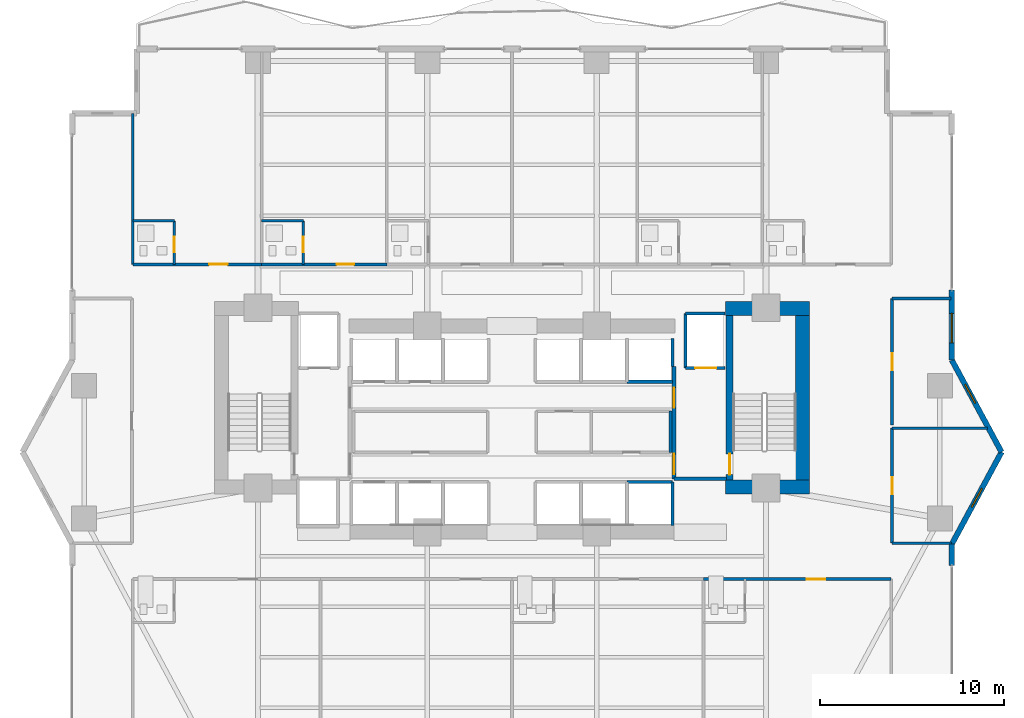
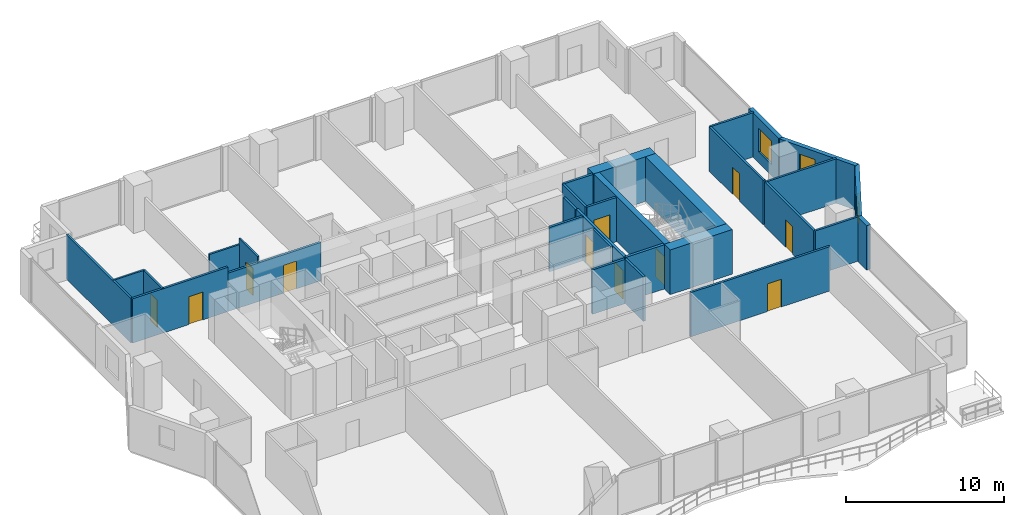
# One storey, part 23 of 30: 31 walls, 11 doors, 3 windows, 14 openings.
"""IFC4 building model written with IfcOpenShell, lengths in metres."""

from ifc_helpers import new_model, si_unit, direction, frame, frame_2d, origin, place, context, subcontext, project, spatial, rectangle, extrude, material, layer, layer_set, type_object, element, fill, save


model = new_model("IFC4")

# Units and contexts
model_context = context("Model", 3, precision=1e-05, world=origin(), true_north=direction((0.0, 1.0)))
body_context = subcontext(model_context, "Body", "Model", "MODEL_VIEW")
ifc_project = project(units=[si_unit("LENGTHUNIT", "METRE"), si_unit("AREAUNIT", "SQUARE_METRE"), si_unit("VOLUMEUNIT", "CUBIC_METRE"), si_unit("PLANEANGLEUNIT", "RADIAN"), si_unit("MASSUNIT", "GRAM", prefix="KILO")], contexts=[model_context])

# Site, building, storey
site_placement = place(None, origin())
site = spatial("IfcSite", under=ifc_project, at=site_placement, CompositionType="ELEMENT")
building_placement = place(site_placement, origin())
building = spatial("IfcBuilding", under=site, at=building_placement, Name="Zuhayl Quay Hotel", CompositionType="ELEMENT")
storey_placement = place(building_placement, frame((0.0, 0.0, 135.800048828125)))
storey = spatial("IfcBuildingStorey", under=building, at=storey_placement, Name="L34", CompositionType="ELEMENT", Elevation=135.800048828125)

# Walls
ifc_material_1 = material(Name="Concrete C60/75", Category="concrete")
ifc_layer_1 = layer(ifc_material_1, 0.75, Name="Concrete C60/75", Category="concrete")
ifc_layer_set_1 = layer_set([ifc_layer_1], Name="Concrete C60/75")
wall_type_1 = type_object("IfcWallType", Name="WL_CORE_750", PredefinedType="SHEAR", material=ifc_layer_set_1)
wall_1_placement = place(storey_placement, frame((11.60009765625, 14.304931640625, 0.0), z_axis=(0.0, 0.0, 1.0), x_axis=(1.0, 0.0, 0.0)))
element("IfcWall", 1, at=wall_1_placement, inside=storey, type_object=wall_type_1, Name="L34 Core Shear Wall CW_NE", PredefinedType="SHEAR", context=body_context, shape_type="SweptSolid", body=[
    extrude(rectangle(XDim=4.559814453125, YDim=0.75, at=frame_2d((2.27978515625, 0.0))), origin(), (0.0, 0.0, 1.0), 3.4599609375),
])
wall_2_placement = place(storey_placement, frame((15.784912109375, 4.969970703125, 0.0), z_axis=(0.0, 0.0, 1.0), x_axis=(0.0, 1.0, 0.0)))
element("IfcWall", 2, at=wall_2_placement, inside=storey, type_object=wall_type_1, Name="L34 Core Shear Wall CW_E", PredefinedType="SHEAR", context=body_context, shape_type="SweptSolid", body=[
    extrude(rectangle(XDim=8.9599609375, YDim=0.75, at=frame_2d((4.47998046875, 0.0))), origin(), (0.0, 0.0, 1.0), 3.4599609375),
])
wall_3_placement = place(storey_placement, frame((11.60009765625, 4.594970703125, 0.0), z_axis=(0.0, 0.0, 1.0), x_axis=(1.0, 0.0, 0.0)))
element("IfcWall", 3, at=wall_3_placement, inside=storey, type_object=wall_type_1, Name="L34 Core Shear Wall CW_SE", PredefinedType="SHEAR", context=body_context, shape_type="SweptSolid", body=[
    extrude(rectangle(XDim=4.559814453125, YDim=0.75, at=frame_2d((2.27978515625, 0.0))), origin(), (0.0, 0.0, 1.0), 3.4599609375),
])

# Wall, opening, window
ifc_material_2 = material(Name="Precast concrete C45/55", Category="concrete")
ifc_layer_2 = layer(ifc_material_2, 0.300048828125, Name="Precast concrete C45/55", Category="concrete")
ifc_layer_set_2 = layer_set([ifc_layer_2], Name="Precast concrete C45/55")
wall_type_2 = type_object("IfcWallType", Name="WL_EXT_300", PredefinedType="STANDARD", material=ifc_layer_set_2)
wall_4_placement = place(storey_placement, frame((23.89990234375, 15.300048828125, 0.0), z_axis=(0.0, 0.0, 1.0), x_axis=(0.0, -1.0, 0.0)))
wall_4 = element("IfcWall", 4, at=wall_4_placement, inside=storey, type_object=wall_type_2, Name="L34 Exterior Precast Wall ENV_L34_E11_EW2", PredefinedType="STANDARD", context=body_context, shape_type="SweptSolid", body=[
    extrude(rectangle(XDim=3.800048828125, YDim=0.300048828125, at=frame_2d((1.89990234375, 0.0))), origin(), (0.0, 0.0, 1.0), 3.429931640625),
])
opening_1_placement = place(wall_4_placement, frame((1.264892578125, 0.0, 0.85009765625)))
opening_1 = element("IfcOpeningElement", 5, at=opening_1_placement, cuts=wall_4, Name="Opening W01", PredefinedType="OPENING", context=body_context, shape_type="SweptSolid", body=[
    extrude(rectangle(XDim=1.60009765625, YDim=1.800048828125, at=frame_2d((0.800048828125, 0.89990234375))), frame((0.0, 0.159912109375, 0.0), z_axis=(0.0, -1.0, 0.0), x_axis=(1.0, 0.0, 0.0)), (0.0, 0.0, 1.0), 0.320068359375),
])
ifc_material_3 = material(Name="Dark Ceramic-Fritted Solar Glass", Category="glass")
window_type_1 = type_object("IfcWindowType", Name="WN_OPERABLE_1600", PartitioningType="DOUBLE_PANEL_VERTICAL", PredefinedType="WINDOW", material=ifc_material_3)
window_1_placement = place(opening_1_placement, origin())
window_1 = element("IfcWindow", 6, at=window_1_placement, inside=storey, type_object=window_type_1, Name="L34 Operable Facade Window 2-1", OverallHeight=1.800048828125, OverallWidth=1.60009765625, PartitioningType="SINGLE_PANEL", PredefinedType="WINDOW", context=body_context, shape_type="SweptSolid", body=[
    extrude(rectangle(XDim=1.60009765625, YDim=1.800048828125, at=frame_2d((0.800048828125, 0.89990234375))), frame((0.0, 0.030029296875, 0.0), z_axis=(0.0, -1.0, 0.0), x_axis=(1.0, 0.0, 0.0)), (0.0, 0.0, 1.0), 0.06005859375),
])
fill(opening_1, window_1)

wall_5_placement = place(storey_placement, frame((23.89990234375, 11.5, 0.0), z_axis=(0.0, 0.0, 1.0), x_axis=(0.475175525499, -0.879891027325, 0.0)))
wall_5 = element("IfcWall", 7, at=wall_5_placement, inside=storey, type_object=wall_type_2, Name="L34 Exterior Precast Wall ENV_L34_EW12", PredefinedType="STANDARD", context=body_context, shape_type="SweptSolid", body=[
    extrude(rectangle(XDim=5.6826171875, YDim=0.300048828125, at=frame_2d((2.84130859375, 0.0))), origin(), (0.0, 0.0, 1.0), 3.429931640625),
])
opening_2_placement = place(wall_5_placement, frame((1.503173828125, 0.0, 1.25)))
opening_2 = element("IfcOpeningElement", 8, at=opening_2_placement, cuts=wall_5, Name="Opening W01N", PredefinedType="OPENING", context=body_context, shape_type="SweptSolid", body=[
    extrude(rectangle(XDim=1.14990234375, YDim=1.550048828125, at=frame_2d((0.574951171875, 0.77490234375))), frame((0.0, 0.159912109375, 0.0), z_axis=(0.0, -1.0, 0.0), x_axis=(1.0, 0.0, 0.0)), (0.0, 0.0, 1.0), 0.320068359375),
])
window_type_2 = type_object("IfcWindowType", Name="WN_NOTCH_1350", PartitioningType="SINGLE_PANEL", PredefinedType="WINDOW", material=ifc_material_3)
window_2_placement = place(opening_2_placement, origin())
window_2 = element("IfcWindow", 9, at=window_2_placement, inside=storey, type_object=window_type_2, Name="L34 Corner Notch Window 12", OverallHeight=1.550048828125, OverallWidth=1.14990234375, PartitioningType="SINGLE_PANEL", PredefinedType="WINDOW", context=body_context, shape_type="SweptSolid", body=[
    extrude(rectangle(XDim=1.14990234375, YDim=1.550048828125, at=frame_2d((0.574951171875, 0.77490234375))), frame((0.0, 0.030029296875, 0.0), z_axis=(0.0, -1.0, 0.0), x_axis=(1.0, 0.0, 0.0)), (0.0, 0.0, 1.0), 0.06005859375),
])
fill(opening_2, window_2)

wall_6_placement = place(storey_placement, frame((26.60009765625, 6.5, 0.0), z_axis=(0.0, 0.0, 1.0), x_axis=(-0.475175525499, -0.879891027325, 0.0)))
wall_6 = element("IfcWall", 10, at=wall_6_placement, inside=storey, type_object=wall_type_2, Name="L34 Exterior Precast Wall ENV_L34_EW13", PredefinedType="STANDARD", context=body_context, shape_type="SweptSolid", body=[
    extrude(rectangle(XDim=5.6826171875, YDim=0.300048828125, at=frame_2d((2.84130859375, 0.0))), origin(), (0.0, 0.0, 1.0), 3.429931640625),
])
opening_3_placement = place(wall_6_placement, frame((2.2421875, 0.0, 1.25)))
opening_3 = element("IfcOpeningElement", 11, at=opening_3_placement, cuts=wall_6, Name="Opening W01N", PredefinedType="OPENING", context=body_context, shape_type="SweptSolid", body=[
    extrude(rectangle(XDim=1.14990234375, YDim=1.550048828125, at=frame_2d((0.574951171875, 0.77490234375))), frame((0.0, 0.159912109375, 0.0), z_axis=(0.0, -1.0, 0.0), x_axis=(1.0, 0.0, 0.0)), (0.0, 0.0, 1.0), 0.320068359375),
])
window_3_placement = place(opening_3_placement, origin())
window_3 = element("IfcWindow", 12, at=window_3_placement, inside=storey, type_object=window_type_2, Name="L34 Corner Notch Window 13", OverallHeight=1.550048828125, OverallWidth=1.14990234375, PartitioningType="SINGLE_PANEL", PredefinedType="WINDOW", context=body_context, shape_type="SweptSolid", body=[
    extrude(rectangle(XDim=1.14990234375, YDim=1.550048828125, at=frame_2d((0.574951171875, 0.77490234375))), frame((0.0, 0.030029296875, 0.0), z_axis=(0.0, -1.0, 0.0), x_axis=(1.0, 0.0, 0.0)), (0.0, 0.0, 1.0), 0.06005859375),
])
fill(opening_3, window_3)

# Walls
wall_7_placement = place(storey_placement, frame((23.89990234375, 1.5, 0.0), z_axis=(0.0, 0.0, 1.0), x_axis=(0.0, -1.0, 0.0)))
element("IfcWall", 13, at=wall_7_placement, inside=storey, type_object=wall_type_2, Name="L34 Exterior Precast Wall ENV_L34_E14_EW1", PredefinedType="STANDARD", context=body_context, shape_type="SweptSolid", body=[
    extrude(rectangle(XDim=1.14990234375, YDim=0.300048828125, at=frame_2d((0.574951171875, 0.0))), origin(), (0.0, 0.0, 1.0), 3.429931640625),
])
ifc_material_4 = material(Name="Acoustic Gypsum Partition STC-58")
ifc_layer_3 = layer(ifc_material_4, 0.14990234375, Name="Acoustic Gypsum Partition STC-58")
ifc_layer_set_3 = layer_set([ifc_layer_3], Name="Acoustic Gypsum Partition STC-58")
wall_type_3 = type_object("IfcWallType", Name="WL_PART_150", PredefinedType="PARTITIONING", material=ifc_layer_set_3)
wall_8_placement = place(storey_placement, frame((8.610107421875, 6.47998046875, 0.0), z_axis=(0.0, 0.0, 1.0), x_axis=(0.0, 1.0, 0.0)))
element("IfcWall", 14, at=wall_8_placement, inside=storey, type_object=wall_type_3, Name="L34 Partition IW_L34_CORE_LN_E", PredefinedType="PARTITIONING", context=body_context, shape_type="SweptSolid", body=[
    extrude(rectangle(XDim=2.239990234375, YDim=0.14990234375, at=frame_2d((1.1201171875, 0.0))), origin(), (0.0, 0.0, 1.0), 3.429931640625),
])
wall_9_placement = place(storey_placement, frame((-20.60009765625, 16.699951171875, 0.0), z_axis=(0.0, 0.0, 1.0), x_axis=(0.0, 1.0, 0.0)))
element("IfcWall", 15, at=wall_9_placement, inside=storey, type_object=wall_type_3, Name="L34 Partition IW_L34_NU01_W", PredefinedType="PARTITIONING", context=body_context, shape_type="SweptSolid", body=[
    extrude(rectangle(XDim=8.199951171875, YDim=0.14990234375, at=frame_2d((4.10009765625, 0.0))), origin(), (0.0, 0.0, 1.0), 3.429931640625),
])
wall_10_placement = place(storey_placement, frame((20.64990234375, 1.550048828125, 0.0), z_axis=(0.0, 0.0, 1.0), x_axis=(1.0, 0.0, 0.0)))
element("IfcWall", 16, at=wall_10_placement, inside=storey, type_object=wall_type_3, Name="L34 Partition IW_L34_HK_MAIN_S", PredefinedType="PARTITIONING", context=body_context, shape_type="SweptSolid", body=[
    extrude(rectangle(XDim=3.217041015625, YDim=0.14990234375, at=frame_2d((1.6083984375, 0.0))), origin(), (0.0, 0.0, 1.0), 3.429931640625),
])
wall_11_placement = place(storey_placement, frame((20.64990234375, 7.800048828125, 0.0), z_axis=(0.0, 0.0, 1.0), x_axis=(1.0, 0.0, 0.0)))
element("IfcWall", 17, at=wall_11_placement, inside=storey, type_object=wall_type_3, Name="L34 Partition IW_L34_HK_MAIN_N", PredefinedType="PARTITIONING", context=body_context, shape_type="SweptSolid", body=[
    extrude(rectangle(XDim=5.18798828125, YDim=0.14990234375, at=frame_2d((2.593994140625, 0.0))), origin(), (0.0, 0.0, 1.0), 3.429931640625),
])
wall_12_placement = place(storey_placement, frame((20.64990234375, 14.85009765625, 0.0), z_axis=(0.0, 0.0, 1.0), x_axis=(1.0, 0.0, 0.0)))
element("IfcWall", 18, at=wall_12_placement, inside=storey, type_object=wall_type_3, Name="L34 Partition IW_L34_EFLK_2_N", PredefinedType="PARTITIONING", context=body_context, shape_type="SweptSolid", body=[
    extrude(rectangle(XDim=3.190185546875, YDim=0.14990234375, at=frame_2d((1.59521484375, 0.0))), origin(), (0.0, 0.0, 1.0), 3.429931640625),
])

# Wall, opening, door
ifc_layer_4 = layer(ifc_material_4, 0.159912109375, Name="Acoustic Gypsum Partition STC-58")
ifc_layer_set_4 = layer_set([ifc_layer_4], Name="Acoustic Gypsum Partition STC-58")
wall_type_4 = type_object("IfcWallType", Name="WL_PART_CORR_160", PredefinedType="PARTITIONING", material=ifc_layer_set_4)
wall_13_placement = place(storey_placement, frame((-20.60009765625, 16.699951171875, 0.0), z_axis=(0.0, 0.0, 1.0), x_axis=(1.0, 0.0, 0.0)))
wall_13 = element("IfcWall", 19, at=wall_13_placement, inside=storey, type_object=wall_type_4, Name="L34 Partition IW_L34_NU01_COR", PredefinedType="PARTITIONING", context=body_context, shape_type="SweptSolid", body=[
    extrude(rectangle(XDim=7.0, YDim=0.159912109375, at=frame_2d((3.5, 0.0))), origin(), (0.0, 0.0, 1.0), 3.429931640625),
])
opening_4_placement = place(wall_13_placement, frame((4.14990234375, 0.0, 0.0)))
opening_4 = element("IfcOpeningElement", 20, at=opening_4_placement, cuts=wall_13, Name="Opening D03L", PredefinedType="OPENING", context=body_context, shape_type="SweptSolid", body=[
    extrude(rectangle(XDim=1.0, YDim=2.14990234375, at=frame_2d((0.5, 1.074951171875))), frame((0.0, 0.08984375, 0.0), z_axis=(0.0, -1.0, 0.0), x_axis=(1.0, 0.0, 0.0)), (0.0, 0.0, 1.0), 0.179931640625),
])
ifc_material_5 = material(Name="Solid Walnut Acoustic Fire Door")
door_type_1 = type_object("IfcDoorType", Name="DR_SUITE_1000", OperationType="NOTDEFINED", PredefinedType="DOOR", material=ifc_material_5)
door_1_placement = place(opening_4_placement, origin())
door_1 = element("IfcDoor", 21, at=door_1_placement, inside=storey, type_object=door_type_1, Name="L34 Deluxe Gulf Junior Suite L34-01 Entrance Door", OperationType="SINGLE_SWING_RIGHT", OverallHeight=2.14990234375, OverallWidth=1.0, PredefinedType="DOOR", context=body_context, shape_type="SweptSolid", body=[
    extrude(rectangle(XDim=1.0, YDim=2.14990234375, at=frame_2d((0.5, 1.074951171875))), frame((0.0, 0.02490234375, 0.0), z_axis=(0.0, -1.0, 0.0), x_axis=(1.0, 0.0, 0.0)), (0.0, 0.0, 1.0), 0.050048828125),
])
fill(opening_4, door_1)

wall_14_placement = place(storey_placement, frame((-13.60009765625, 16.699951171875, 0.0), z_axis=(0.0, 0.0, 1.0), x_axis=(1.0, 0.0, 0.0)))
wall_14 = element("IfcWall", 22, at=wall_14_placement, inside=storey, type_object=wall_type_4, Name="L34 Partition IW_L34_NU02_COR", PredefinedType="PARTITIONING", context=body_context, shape_type="SweptSolid", body=[
    extrude(rectangle(XDim=6.800048828125, YDim=0.159912109375, at=frame_2d((3.39990234375, 0.0))), origin(), (0.0, 0.0, 1.0), 2.972900390625),
])
opening_5_placement = place(wall_14_placement, frame((4.074951171875, 0.0, 0.0)))
opening_5 = element("IfcOpeningElement", 23, at=opening_5_placement, cuts=wall_14, Name="Opening D03", PredefinedType="OPENING", context=body_context, shape_type="SweptSolid", body=[
    extrude(rectangle(XDim=0.949951171875, YDim=2.14990234375, at=frame_2d((0.47509765625, 1.074951171875))), frame((0.0, 0.08984375, 0.0), z_axis=(0.0, -1.0, 0.0), x_axis=(1.0, 0.0, 0.0)), (0.0, 0.0, 1.0), 0.179931640625),
])
door_type_2 = type_object("IfcDoorType", Name="DR_SUITE_950", OperationType="NOTDEFINED", PredefinedType="DOOR", material=ifc_material_5)
door_2_placement = place(opening_5_placement, origin())
door_2 = element("IfcDoor", 24, at=door_2_placement, inside=storey, type_object=door_type_2, Name="L34 Deluxe Gulf Guest Room L34-02 Entrance Door", OperationType="SINGLE_SWING_RIGHT", OverallHeight=2.14990234375, OverallWidth=0.949951171875, PredefinedType="DOOR", context=body_context, shape_type="SweptSolid", body=[
    extrude(rectangle(XDim=0.949951171875, YDim=2.14990234375, at=frame_2d((0.47509765625, 1.074951171875))), frame((0.0, 0.02490234375, 0.0), z_axis=(0.0, -1.0, 0.0), x_axis=(1.0, 0.0, 0.0)), (0.0, 0.0, 1.0), 0.050048828125),
])
fill(opening_5, door_2)

wall_15_placement = place(storey_placement, frame((10.39990234375, -0.39990234375, 0.0), z_axis=(0.0, 0.0, 1.0), x_axis=(1.0, 0.0, 0.0)))
wall_15 = element("IfcWall", 25, at=wall_15_placement, inside=storey, type_object=wall_type_4, Name="L34 Partition IW_L34_SU04_COR", PredefinedType="PARTITIONING", context=body_context, shape_type="SweptSolid", body=[
    extrude(rectangle(XDim=10.2001953125, YDim=0.159912109375, at=frame_2d((5.10009765625, 0.0))), origin(), (0.0, 0.0, 1.0), 3.429931640625),
])
opening_6_placement = place(wall_15_placement, frame((5.625, 0.0, 0.0)))
opening_6 = element("IfcOpeningElement", 26, at=opening_6_placement, cuts=wall_15, Name="Opening D03L", PredefinedType="OPENING", context=body_context, shape_type="SweptSolid", body=[
    extrude(rectangle(XDim=1.0, YDim=2.14990234375, at=frame_2d((0.5, 1.074951171875))), frame((0.0, 0.08984375, 0.0), z_axis=(0.0, -1.0, 0.0), x_axis=(1.0, 0.0, 0.0)), (0.0, 0.0, 1.0), 0.179931640625),
])
door_3_placement = place(opening_6_placement, origin())
door_3 = element("IfcDoor", 27, at=door_3_placement, inside=storey, type_object=door_type_1, Name="L34 City-View Junior Suite L34-04 Entrance Door", OperationType="SINGLE_SWING_RIGHT", OverallHeight=2.14990234375, OverallWidth=1.0, PredefinedType="DOOR", context=body_context, shape_type="SweptSolid", body=[
    extrude(rectangle(XDim=1.0, YDim=2.14990234375, at=frame_2d((0.5, 1.074951171875))), frame((0.0, 0.02490234375, 0.0), z_axis=(0.0, -1.0, 0.0), x_axis=(1.0, 0.0, 0.0)), (0.0, 0.0, 1.0), 0.050048828125),
])
fill(opening_6, door_3)

wall_16_placement = place(storey_placement, frame((20.64990234375, 1.550048828125, 0.0), z_axis=(0.0, 0.0, 1.0), x_axis=(0.0, 1.0, 0.0)))
wall_16 = element("IfcWall", 28, at=wall_16_placement, inside=storey, type_object=wall_type_4, Name="L34 Partition IW_L34_HK_MAIN_W", PredefinedType="PARTITIONING", context=body_context, shape_type="SweptSolid", body=[
    extrude(rectangle(XDim=6.25, YDim=0.159912109375, at=frame_2d((3.125, 0.0))), origin(), (0.0, 0.0, 1.0), 3.429931640625),
])
opening_7_placement = place(wall_16_placement, frame((2.6650390625, 0.0, 0.0)))
opening_7 = element("IfcOpeningElement", 29, at=opening_7_placement, cuts=wall_16, Name="Opening D05", PredefinedType="OPENING", context=body_context, shape_type="SweptSolid", body=[
    extrude(rectangle(XDim=0.919921875, YDim=2.1201171875, at=frame_2d((0.4599609375, 1.06005859375))), frame((0.0, 0.08984375, 0.0), z_axis=(0.0, -1.0, 0.0), x_axis=(1.0, 0.0, 0.0)), (0.0, 0.0, 1.0), 0.179931640625),
])
door_type_3 = type_object("IfcDoorType", Name="DR_INT_950", OperationType="NOTDEFINED", PredefinedType="DOOR", material=ifc_material_5)
door_4_placement = place(opening_7_placement, origin())
door_4 = element("IfcDoor", 30, at=door_4_placement, inside=storey, type_object=door_type_3, Name="L34 Housekeeping and Linen Room Door", OperationType="SINGLE_SWING_LEFT", OverallHeight=2.1201171875, OverallWidth=0.919921875, PredefinedType="DOOR", context=body_context, shape_type="SweptSolid", body=[
    extrude(rectangle(XDim=0.919921875, YDim=2.1201171875, at=frame_2d((0.4599609375, 1.06005859375))), frame((0.0, 0.02490234375, 0.0), z_axis=(0.0, -1.0, 0.0), x_axis=(1.0, 0.0, 0.0)), (0.0, 0.0, 1.0), 0.050048828125),
])
fill(opening_7, door_4)

wall_17_placement = place(storey_placement, frame((20.64990234375, 7.9599609375, 0.0), z_axis=(0.0, 0.0, 1.0), x_axis=(0.0, 1.0, 0.0)))
wall_17 = element("IfcWall", 31, at=wall_17_placement, inside=storey, type_object=wall_type_4, Name="L34 Partition IW_L34_EFLK_2_W", PredefinedType="PARTITIONING", context=body_context, shape_type="SweptSolid", body=[
    extrude(rectangle(XDim=6.89013671875, YDim=0.159912109375, at=frame_2d((3.445068359375, 0.0))), origin(), (0.0, 0.0, 1.0), 3.429931640625),
])
opening_8_placement = place(wall_17_placement, frame((2.985107421875, 0.0, 0.0)))
opening_8 = element("IfcOpeningElement", 32, at=opening_8_placement, cuts=wall_17, Name="Opening D05", PredefinedType="OPENING", context=body_context, shape_type="SweptSolid", body=[
    extrude(rectangle(XDim=0.919921875, YDim=2.1201171875, at=frame_2d((0.4599609375, 1.06005859375))), frame((0.0, 0.08984375, 0.0), z_axis=(0.0, -1.0, 0.0), x_axis=(1.0, 0.0, 0.0)), (0.0, 0.0, 1.0), 0.179931640625),
])
door_5_placement = place(opening_8_placement, origin())
door_5 = element("IfcDoor", 33, at=door_5_placement, inside=storey, type_object=door_type_3, Name="L34 Floor Beverage and Ice Pantry Door", OperationType="SINGLE_SWING_RIGHT", OverallHeight=2.1201171875, OverallWidth=0.919921875, PredefinedType="DOOR", context=body_context, shape_type="SweptSolid", body=[
    extrude(rectangle(XDim=0.919921875, YDim=2.1201171875, at=frame_2d((0.4599609375, 1.06005859375))), frame((0.0, 0.02490234375, 0.0), z_axis=(0.0, -1.0, 0.0), x_axis=(1.0, 0.0, 0.0)), (0.0, 0.0, 1.0), 0.050048828125),
])
fill(opening_8, door_5)

ifc_material_6 = material(Name="Moisture-Resistant Sanitarychase Gypsum")
ifc_layer_5 = layer(ifc_material_6, 0.135009765625, Name="Moisture-Resistant Sanitarychase Gypsum")
ifc_layer_set_5 = layer_set([ifc_layer_5], Name="Moisture-Resistant Sanitarychase Gypsum")
wall_type_5 = type_object("IfcWallType", Name="WL_PART_PLUMB_150", PredefinedType="PLUMBINGWALL", material=ifc_layer_set_5)
wall_18_placement = place(storey_placement, frame((-18.340087890625, 16.699951171875, 0.0), z_axis=(0.0, 0.0, 1.0), x_axis=(0.0, 1.0, 0.0)))
wall_18 = element("IfcWall", 34, at=wall_18_placement, inside=storey, type_object=wall_type_5, Name="L34 Partition IW_L34_NU01_BE", PredefinedType="PLUMBINGWALL", context=body_context, shape_type="SweptSolid", body=[
    extrude(rectangle(XDim=2.360107421875, YDim=0.135009765625, at=frame_2d((1.18017578125, 0.0))), origin(), (0.0, 0.0, 1.0), 3.429931640625),
])
opening_9_placement = place(wall_18_placement, frame((0.64990234375, 0.0, 0.0)))
opening_9 = element("IfcOpeningElement", 35, at=opening_9_placement, cuts=wall_18, Name="Opening D04", PredefinedType="OPENING", context=body_context, shape_type="SweptSolid", body=[
    extrude(rectangle(XDim=0.85009765625, YDim=2.10009765625, at=frame_2d((0.425048828125, 1.050048828125))), frame((0.0, 0.077392578125, 0.0), z_axis=(0.0, -1.0, 0.0), x_axis=(1.0, 0.0, 0.0)), (0.0, 0.0, 1.0), 0.155029296875),
])
ifc_material_7 = material(Name="Moisture-Resistant Walnut Veneer")
door_type_4 = type_object("IfcDoorType", Name="DR_BATH_850", OperationType="NOTDEFINED", PredefinedType="DOOR", material=ifc_material_7)
door_6_placement = place(opening_9_placement, origin())
door_6 = element("IfcDoor", 36, at=door_6_placement, inside=storey, type_object=door_type_4, Name="L34 Deluxe Gulf Junior Suite L34-01 En-Suite Door", OperationType="SINGLE_SWING_LEFT", OverallHeight=2.10009765625, OverallWidth=0.85009765625, PredefinedType="DOOR", context=body_context, shape_type="SweptSolid", body=[
    extrude(rectangle(XDim=0.85009765625, YDim=2.10009765625, at=frame_2d((0.425048828125, 1.050048828125))), frame((0.0, 0.02490234375, 0.0), z_axis=(0.0, -1.0, 0.0), x_axis=(1.0, 0.0, 0.0)), (0.0, 0.0, 1.0), 0.050048828125),
])
fill(opening_9, door_6)

wall_19_placement = place(storey_placement, frame((-11.340087890625, 16.699951171875, 0.0), z_axis=(0.0, 0.0, 1.0), x_axis=(0.0, 1.0, 0.0)))
wall_19 = element("IfcWall", 37, at=wall_19_placement, inside=storey, type_object=wall_type_5, Name="L34 Partition IW_L34_NU02_BE", PredefinedType="PLUMBINGWALL", context=body_context, shape_type="SweptSolid", body=[
    extrude(rectangle(XDim=2.360107421875, YDim=0.135009765625, at=frame_2d((1.18017578125, 0.0))), origin(), (0.0, 0.0, 1.0), 3.429931640625),
])
opening_10_placement = place(wall_19_placement, frame((0.64990234375, 0.0, 0.0)))
opening_10 = element("IfcOpeningElement", 38, at=opening_10_placement, cuts=wall_19, Name="Opening D04", PredefinedType="OPENING", context=body_context, shape_type="SweptSolid", body=[
    extrude(rectangle(XDim=0.85009765625, YDim=2.10009765625, at=frame_2d((0.425048828125, 1.050048828125))), frame((0.0, 0.077392578125, 0.0), z_axis=(0.0, -1.0, 0.0), x_axis=(1.0, 0.0, 0.0)), (0.0, 0.0, 1.0), 0.155029296875),
])
door_7_placement = place(opening_10_placement, origin())
door_7 = element("IfcDoor", 39, at=door_7_placement, inside=storey, type_object=door_type_4, Name="L34 Deluxe Gulf Guest Room L34-02 En-Suite Door", OperationType="SINGLE_SWING_LEFT", OverallHeight=2.10009765625, OverallWidth=0.85009765625, PredefinedType="DOOR", context=body_context, shape_type="SweptSolid", body=[
    extrude(rectangle(XDim=0.85009765625, YDim=2.10009765625, at=frame_2d((0.425048828125, 1.050048828125))), frame((0.0, 0.02490234375, 0.0), z_axis=(0.0, -1.0, 0.0), x_axis=(1.0, 0.0, 0.0)), (0.0, 0.0, 1.0), 0.050048828125),
])
fill(opening_10, door_7)

# Walls
wall_20_placement = place(storey_placement, frame((-20.60009765625, 19.06005859375, 0.0), z_axis=(0.0, 0.0, 1.0), x_axis=(1.0, 0.0, 0.0)))
element("IfcWall", 40, at=wall_20_placement, inside=storey, type_object=wall_type_5, Name="L34 Partition IW_L34_NU01_BN", PredefinedType="PLUMBINGWALL", context=body_context, shape_type="SweptSolid", body=[
    extrude(rectangle(XDim=2.260009765625, YDim=0.135009765625, at=frame_2d((1.1298828125, 0.0))), origin(), (0.0, 0.0, 1.0), 3.429931640625),
])
wall_21_placement = place(storey_placement, frame((-13.60009765625, 19.06005859375, 0.0), z_axis=(0.0, 0.0, 1.0), x_axis=(1.0, 0.0, 0.0)))
element("IfcWall", 41, at=wall_21_placement, inside=storey, type_object=wall_type_5, Name="L34 Partition IW_L34_NU02_BN", PredefinedType="PLUMBINGWALL", context=body_context, shape_type="SweptSolid", body=[
    extrude(rectangle(XDim=2.260009765625, YDim=0.135009765625, at=frame_2d((1.1298828125, 0.0))), origin(), (0.0, 0.0, 1.0), 2.972900390625),
])

# Wall, opening, door
ifc_material_8 = material(Name="Gypsum Fireboard Assembly EI-90")
ifc_layer_6 = layer(ifc_material_8, 0.1650390625, Name="Gypsum Fireboard Assembly EI-90")
ifc_layer_set_6 = layer_set([ifc_layer_6], Name="Gypsum Fireboard Assembly EI-90")
wall_type_6 = type_object("IfcWallType", Name="WL_PART_SHAFT_160", PredefinedType="PARTITIONING", material=ifc_layer_set_6)
wall_22_placement = place(storey_placement, frame((9.419921875, 11.070068359375, 0.0), z_axis=(0.0, 0.0, 1.0), x_axis=(1.0, 0.0, 0.0)))
wall_22 = element("IfcWall", 42, at=wall_22_placement, inside=storey, type_object=wall_type_6, Name="L34 Partition IW_L34_SH_FL2_F", PredefinedType="PARTITIONING", context=body_context, shape_type="SweptSolid", body=[
    extrude(rectangle(XDim=2.16015625, YDim=0.1650390625, at=frame_2d((1.080078125, 0.0))), origin(), (0.0, 0.0, 1.0), 3.429931640625),
])
opening_11_placement = place(wall_22_placement, frame((0.530029296875, 0.0, 0.0)))
opening_11 = element("IfcOpeningElement", 43, at=opening_11_placement, cuts=wall_22, Name="Opening LD2", PredefinedType="OPENING", context=body_context, shape_type="SweptSolid", body=[
    extrude(rectangle(XDim=1.14990234375, YDim=2.25, at=frame_2d((0.574951171875, 1.125))), frame((0.0, 0.092529296875, 0.0), z_axis=(0.0, -1.0, 0.0), x_axis=(1.0, 0.0, 0.0)), (0.0, 0.0, 1.0), 0.18505859375),
])
ifc_material_9 = material(Name="Brushed Stainless Steel", Category="steel")
door_type_5 = type_object("IfcDoorType", Name="DR_LIFT_FF_1100", OperationType="SLIDING_TO_LEFT", PredefinedType="DOOR", material=ifc_material_9)
door_8_placement = place(opening_11_placement, origin())
door_8 = element("IfcDoor", 44, at=door_8_placement, inside=storey, type_object=door_type_5, Name="L34 Lift FL2 Sliding Landing Door", OperationType="SLIDING_TO_LEFT", OverallHeight=2.25, OverallWidth=1.14990234375, PredefinedType="DOOR", context=body_context, shape_type="SweptSolid", body=[
    extrude(rectangle(XDim=1.14990234375, YDim=2.25, at=frame_2d((0.574951171875, 1.125))), frame((0.0, 0.02490234375, 0.0), z_axis=(0.0, -1.0, 0.0), x_axis=(1.0, 0.0, 0.0)), (0.0, 0.0, 1.0), 0.050048828125),
])
fill(opening_11, door_8)

# Walls
wall_23_placement = place(storey_placement, frame((9.419921875, 11.070068359375, 0.0), z_axis=(0.0, 0.0, 1.0), x_axis=(0.0, 1.0, 0.0)))
element("IfcWall", 45, at=wall_23_placement, inside=storey, type_object=wall_type_6, Name="L34 Partition IW_L34_SH_FL2_W", PredefinedType="PARTITIONING", context=body_context, shape_type="SweptSolid", body=[
    extrude(rectangle(XDim=2.9599609375, YDim=0.1650390625, at=frame_2d((1.47998046875, 0.0))), origin(), (0.0, 0.0, 1.0), 3.429931640625),
])
wall_24_placement = place(storey_placement, frame((9.419921875, 14.030029296875, 0.0), z_axis=(0.0, 0.0, 1.0), x_axis=(1.0, 0.0, 0.0)))
element("IfcWall", 46, at=wall_24_placement, inside=storey, type_object=wall_type_6, Name="L34 Partition IW_L34_SH_FL2_B", PredefinedType="PARTITIONING", context=body_context, shape_type="SweptSolid", body=[
    extrude(rectangle(XDim=2.16015625, YDim=0.1650390625, at=frame_2d((1.080078125, 0.0))), origin(), (0.0, 0.0, 1.0), 3.429931640625),
])
wall_25_placement = place(storey_placement, frame((6.25, 4.8798828125, 0.0), z_axis=(0.0, 0.0, 1.0), x_axis=(1.0, 0.0, 0.0)))
element("IfcWall", 47, at=wall_25_placement, inside=storey, type_object=wall_type_6, Name="L34 Partition IW_L34_SH_HP2_F", PredefinedType="PARTITIONING", context=body_context, shape_type="SweptSolid", body=[
    extrude(rectangle(XDim=2.47998046875, YDim=0.1650390625, at=frame_2d((1.239990234375, 0.0))), origin(), (0.0, 0.0, 1.0), 3.429931640625),
])
wall_26_placement = place(storey_placement, frame((8.72998046875, 2.52001953125, 0.0), z_axis=(0.0, 0.0, 1.0), x_axis=(0.0, 1.0, 0.0)))
element("IfcWall", 48, at=wall_26_placement, inside=storey, type_object=wall_type_6, Name="L34 Partition IW_L34_SH_HP2_E", PredefinedType="PARTITIONING", context=body_context, shape_type="SweptSolid", body=[
    extrude(rectangle(XDim=2.35986328125, YDim=0.1650390625, at=frame_2d((1.179931640625, 0.0))), origin(), (0.0, 0.0, 1.0), 3.429931640625),
])
wall_27_placement = place(storey_placement, frame((6.25, 10.320068359375, 0.0), z_axis=(0.0, 0.0, 1.0), x_axis=(1.0, 0.0, 0.0)))
element("IfcWall", 49, at=wall_27_placement, inside=storey, type_object=wall_type_6, Name="L34 Partition IW_L34_SH_HP4_F", PredefinedType="PARTITIONING", context=body_context, shape_type="SweptSolid", body=[
    extrude(rectangle(XDim=2.47998046875, YDim=0.1650390625, at=frame_2d((1.239990234375, 0.0))), origin(), (0.0, 0.0, 1.0), 3.429931640625),
])
wall_28_placement = place(storey_placement, frame((8.72998046875, 11.14990234375, 0.0), z_axis=(0.0, 0.0, 1.0), x_axis=(0.0, 1.0, 0.0)))
element("IfcWall", 50, at=wall_28_placement, inside=storey, type_object=wall_type_6, Name="L34 Partition IW_L34_SH_HP4_E", PredefinedType="PARTITIONING", context=body_context, shape_type="SweptSolid", body=[
    extrude(rectangle(XDim=1.530029296875, YDim=0.1650390625, at=frame_2d((0.76513671875, 0.0))), origin(), (0.0, 0.0, 1.0), 3.429931640625),
])

# Wall, openings, doors
ifc_material_10 = material(Name="Gypsum Fireboard Assembly EI-120")
ifc_layer_7 = layer(ifc_material_10, 0.199951171875, Name="Gypsum Fireboard Assembly EI-120")
ifc_layer_set_7 = layer_set([ifc_layer_7], Name="Gypsum Fireboard Assembly EI-120")
wall_type_7 = type_object("IfcWallType", Name="WL_PART_SHAFT_200", PredefinedType="PARTITIONING", material=ifc_layer_set_7)
wall_29_placement = place(storey_placement, frame((8.800048828125, 11.14990234375, 0.0), z_axis=(0.0, 0.0, 1.0), x_axis=(0.0, -1.0, 0.0)))
wall_29 = element("IfcWall", 51, at=wall_29_placement, inside=storey, type_object=wall_type_7, Name="L34 Partition IW_L34_FSAE_E_W", PredefinedType="PARTITIONING", context=body_context, shape_type="SweptSolid", body=[
    extrude(rectangle(XDim=6.099853515625, YDim=0.199951171875, at=frame_2d((3.0498046875, 0.0))), origin(), (0.0, 0.0, 1.0), 3.429931640625),
])
opening_12_placement = place(wall_29_placement, frame((1.14990234375, 0.0, 0.0)))
opening_12 = element("IfcOpeningElement", 52, at=opening_12_placement, cuts=wall_29, Name="Opening D02", PredefinedType="OPENING", context=body_context, shape_type="SweptSolid", body=[
    extrude(rectangle(XDim=1.10009765625, YDim=2.199951171875, at=frame_2d((0.550048828125, 1.10009765625))), frame((0.0, 0.10986328125, 0.0), z_axis=(0.0, -1.0, 0.0), x_axis=(1.0, 0.0, 0.0)), (0.0, 0.0, 1.0), 0.219970703125),
])
opening_13_placement = place(wall_29_placement, frame((4.75, 0.0, 0.0)))
opening_13 = element("IfcOpeningElement", 53, at=opening_13_placement, cuts=wall_29, Name="Opening D02", PredefinedType="OPENING", context=body_context, shape_type="SweptSolid", body=[
    extrude(rectangle(XDim=1.10009765625, YDim=2.199951171875, at=frame_2d((0.550048828125, 1.10009765625))), frame((0.0, 0.10986328125, 0.0), z_axis=(0.0, -1.0, 0.0), x_axis=(1.0, 0.0, 0.0)), (0.0, 0.0, 1.0), 0.219970703125),
])
ifc_material_11 = material(Name="Steel ASTM A992 Grade 50", Category="steel")
door_type_6 = type_object("IfcDoorType", Name="DR_FIRE_90_1100", OperationType="NOTDEFINED", PredefinedType="DOOR", material=ifc_material_11)
door_9_placement = place(opening_12_placement, origin())
door_9 = element("IfcDoor", 54, at=door_9_placement, inside=storey, type_object=door_type_6, Name="L34 FSAE Lobby East North Entry Door", OperationType="SINGLE_SWING_RIGHT", OverallHeight=2.199951171875, OverallWidth=1.10009765625, PredefinedType="DOOR", context=body_context, shape_type="SweptSolid", body=[
    extrude(rectangle(XDim=1.10009765625, YDim=2.199951171875, at=frame_2d((0.550048828125, 1.10009765625))), frame((0.0, 0.02490234375, 0.0), z_axis=(0.0, -1.0, 0.0), x_axis=(1.0, 0.0, 0.0)), (0.0, 0.0, 1.0), 0.050048828125),
])
fill(opening_12, door_9)
door_10_placement = place(opening_13_placement, origin())
door_10 = element("IfcDoor", 55, at=door_10_placement, inside=storey, type_object=door_type_6, Name="L34 FSAE Lobby East South Entry Door", OperationType="SINGLE_SWING_LEFT", OverallHeight=2.199951171875, OverallWidth=1.10009765625, PredefinedType="DOOR", context=body_context, shape_type="SweptSolid", body=[
    extrude(rectangle(XDim=1.10009765625, YDim=2.199951171875, at=frame_2d((0.550048828125, 1.10009765625))), frame((0.0, 0.02490234375, 0.0), z_axis=(0.0, -1.0, 0.0), x_axis=(1.0, 0.0, 0.0)), (0.0, 0.0, 1.0), 0.050048828125),
])
fill(opening_13, door_10)

# Wall
wall_30_placement = place(storey_placement, frame((8.800048828125, 5.050048828125, 0.0), z_axis=(0.0, 0.0, 1.0), x_axis=(1.0, 0.0, 0.0)))
element("IfcWall", 56, at=wall_30_placement, inside=storey, type_object=wall_type_7, Name="L34 Partition IW_L34_FSAE_E_S", PredefinedType="PARTITIONING", context=body_context, shape_type="SweptSolid", body=[
    extrude(rectangle(XDim=2.849853515625, YDim=0.199951171875, at=frame_2d((1.4248046875, 0.0))), origin(), (0.0, 0.0, 1.0), 3.429931640625),
])

# Wall, opening, door
ifc_layer_8 = layer(ifc_material_1, 0.39990234375, Name="Concrete C60/75", Category="concrete")
ifc_layer_set_8 = layer_set([ifc_layer_8], Name="Concrete C60/75")
wall_type_8 = type_object("IfcWallType", Name="WL_STAIR_400", PredefinedType="SHEAR", material=ifc_layer_set_8)
wall_31_placement = place(storey_placement, frame((11.820068359375, 13.929931640625, 0.0), z_axis=(0.0, 0.0, 1.0), x_axis=(0.0, -1.0, 0.0)))
wall_31 = element("IfcWall", 57, at=wall_31_placement, inside=storey, type_object=wall_type_8, Name="L34 Core Shear Wall SW_ST2", PredefinedType="SHEAR", context=body_context, shape_type="SweptSolid", body=[
    extrude(rectangle(XDim=8.9599609375, YDim=0.39990234375, at=frame_2d((4.47998046875, 0.0))), origin(), (0.0, 0.0, 1.0), 3.4599609375),
])
opening_14_placement = place(wall_31_placement, frame((7.530029296875, 0.0, 0.0)))
opening_14 = element("IfcOpeningElement", 58, at=opening_14_placement, cuts=wall_31, Name="Opening D01", PredefinedType="OPENING", context=body_context, shape_type="SweptSolid", body=[
    extrude(rectangle(XDim=1.1201171875, YDim=2.219970703125, at=frame_2d((0.56005859375, 1.10986328125))), frame((0.0, 0.2099609375, 0.0), z_axis=(0.0, -1.0, 0.0), x_axis=(1.0, 0.0, 0.0)), (0.0, 0.0, 1.0), 0.419921875),
])
door_type_7 = type_object("IfcDoorType", Name="DR_STAIR_90_1100", OperationType="NOTDEFINED", PredefinedType="DOOR", material=ifc_material_11)
door_11_placement = place(opening_14_placement, origin())
door_11 = element("IfcDoor", 59, at=door_11_placement, inside=storey, type_object=door_type_7, Name="L34 Smokeproof Exit Stair ST2 Door", OperationType="SINGLE_SWING_RIGHT", OverallHeight=2.219970703125, OverallWidth=1.1201171875, PredefinedType="DOOR", context=body_context, shape_type="SweptSolid", body=[
    extrude(rectangle(XDim=1.1201171875, YDim=2.219970703125, at=frame_2d((0.56005859375, 1.10986328125))), frame((0.0, 0.02490234375, 0.0), z_axis=(0.0, -1.0, 0.0), x_axis=(1.0, 0.0, 0.0)), (0.0, 0.0, 1.0), 0.050048828125),
])
fill(opening_14, door_11)

save(model, "model.ifc")
